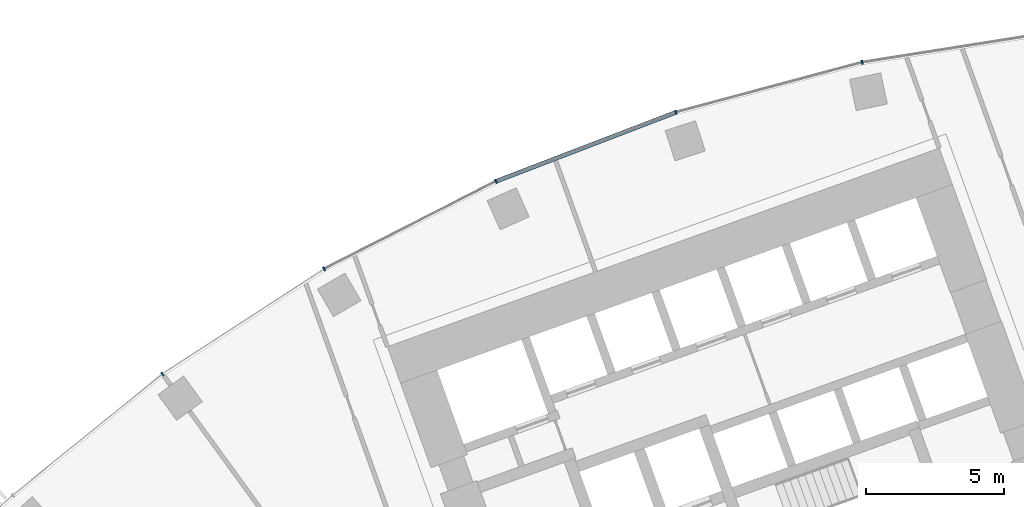
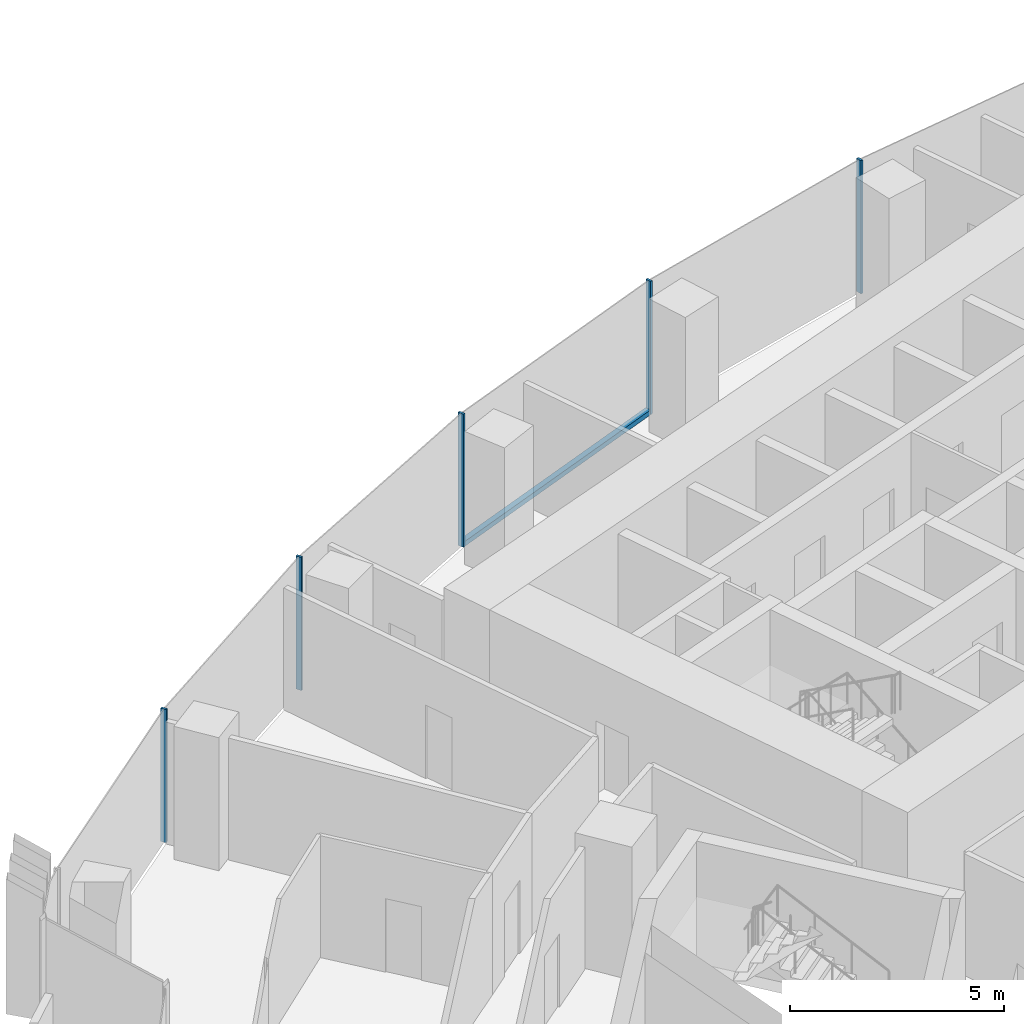
# One storey, part 5 of 20: 6 members, 1 element without a shape of its own.
"""IFC4 building model written with IfcOpenShell, lengths in metres."""

import ifcopenshell
import ifcopenshell.guid

model = None  # the IFC model being written
_history = None  # IfcOwnerHistory: only IFC2X3 demands one
_inside = {}  # id of a spatial element -> (the spatial element, [elements in it])
_under = {}  # id of a project, library or spatial element -> (it, [spatial elements below it])
_declared = {}  # id of a project -> (the project, [libraries it declares])
_typed = {}  # id of a type object -> (the type object, [elements of that type])
_made_of = {}  # id of a material, layer set ... -> (it, [elements and type objects made of it])


def new_model(schema):
    """Start an empty IFC model of exactly this schema.

    Asked for "IFC4X3", IfcOpenShell would pick the latest addendum, in which some entities
    have other attributes; the version numbers below select the first issue.
    IFC2X3 requires an IfcOwnerHistory on every rooted entity: one is made here for all.
    """
    global model, _history
    if schema == "IFC4X3":
        model = ifcopenshell.file(schema_version=(4, 3, 0, 0))
    else:
        model = ifcopenshell.file(schema=schema)
    _inside.clear()
    _under.clear()
    _declared.clear()
    _typed.clear()
    _made_of.clear()
    _history = None
    if model.schema == "IFC2X3":
        org = make("IfcOrganization", Name="unknown")
        user = make(
            "IfcPersonAndOrganization",
            ThePerson=make("IfcPerson", FamilyName="unknown"),
            TheOrganization=org,
        )
        app = make(
            "IfcApplication",
            ApplicationDeveloper=org,
            Version="unknown",
            ApplicationFullName="unknown",
            ApplicationIdentifier="unknown",
        )
        _history = make(
            "IfcOwnerHistory",
            OwningUser=user,
            OwningApplication=app,
            ChangeAction="ADDED",
            CreationDate=0,
        )
    return model


def make(cls, **values):
    """One entity of the class cls with the attributes given. An attribute that is None is left unset."""
    return model.create_entity(
        cls, **{name: value for name, value in values.items() if value is not None}
    )


def rooted(cls, **values):
    """An entity with a GlobalId (a new one), such as an element, a storey or a relation."""
    return make(cls, GlobalId=ifcopenshell.guid.new(), OwnerHistory=_history, **values)


def si_unit(unit_type, name, prefix=None):
    """IfcSIUnit, for example si_unit("LENGTHUNIT", "METRE", prefix="MILLI")."""
    return make("IfcSIUnit", UnitType=unit_type, Prefix=prefix, Name=name)


def assignment(units):
    """IfcUnitAssignment: the units of a project."""
    return None if units is None else make("IfcUnitAssignment", Units=units)


def point(xyz):
    """IfcCartesianPoint."""
    return None if xyz is None else make("IfcCartesianPoint", Coordinates=xyz)


def direction(xyz):
    """IfcDirection."""
    return None if xyz is None else make("IfcDirection", DirectionRatios=xyz)


def frame(location, z_axis=None, x_axis=None):
    """IfcAxis2Placement3D, a coordinate frame: its origin and axes. An axis left out is left unset."""
    return make(
        "IfcAxis2Placement3D",
        Location=point(location),
        Axis=direction(z_axis),
        RefDirection=direction(x_axis),
    )


def frame_2d(location, x_axis=None):
    """IfcAxis2Placement2D, a coordinate frame in the plane: its origin and x axis."""
    return make(
        "IfcAxis2Placement2D", Location=point(location), RefDirection=direction(x_axis)
    )


def origin():
    """The frame at (0, 0, 0) with its axes left unset."""
    return frame((0.0, 0.0, 0.0))


def origin_2d():
    """The frame at (0, 0) in the plane with its x axis left unset."""
    return frame_2d((0.0, 0.0))


def place(relative_to, where):
    """IfcLocalPlacement: puts the frame where relative to a parent placement (None: the world)."""
    return make(
        "IfcLocalPlacement", PlacementRelTo=relative_to, RelativePlacement=where
    )


def context(
    kind, dimensions, precision=None, world=None, true_north=None, identifier=None
):
    """IfcGeometricRepresentationContext, for example the 3D "Model" context."""
    return make(
        "IfcGeometricRepresentationContext",
        ContextIdentifier=identifier,
        ContextType=kind,
        CoordinateSpaceDimension=dimensions,
        Precision=precision,
        WorldCoordinateSystem=world,
        TrueNorth=true_north,
    )


def subcontext(parent, identifier, kind, view, scale=None):
    """IfcGeometricRepresentationSubContext, for example "Body" below "Model"."""
    return make(
        "IfcGeometricRepresentationSubContext",
        ContextIdentifier=identifier,
        ContextType=kind,
        ParentContext=parent,
        TargetScale=scale,
        TargetView=view,
    )


def project(units=None, contexts=None):
    """IfcProject with its units and contexts."""
    return rooted(
        "IfcProject",
        Name="project",
        RepresentationContexts=contexts,
        UnitsInContext=assignment(units),
    )


def spatial(cls, under=None, at=None, **own):
    """A site, building, storey or space (cls), placed at a placement, below another one or the project."""
    s = rooted(cls, ObjectPlacement=at, **own)
    if under is not None:
        _under.setdefault(under.id(), (under, []))[1].append(s)
    return s


def profile(cls, at=None, kind="AREA", **sizes):
    """A parametric profile (cls). Its sizes go by their IFC names, for example OverallWidth=200.0."""
    return make(cls, ProfileType=kind, Position=at, **sizes)


def rectangle(**sizes):
    """IfcRectangleProfileDef."""
    return profile("IfcRectangleProfileDef", **sizes)


def extrude(swept, where, along, depth):
    """IfcExtrudedAreaSolid: the profile swept, set in the frame where, extruded along a direction by depth."""
    return make(
        "IfcExtrudedAreaSolid",
        SweptArea=swept,
        Position=where,
        ExtrudedDirection=direction(along),
        Depth=depth,
    )


def shape(context_of_items, identifier, shape_type, items):
    """IfcShapeRepresentation: the items that make up one representation, for example the "Body"."""
    return make(
        "IfcShapeRepresentation",
        ContextOfItems=context_of_items,
        RepresentationIdentifier=identifier,
        RepresentationType=shape_type,
        Items=items,
    )


def material(Name=None, Category=None):
    """IfcMaterial."""
    return make("IfcMaterial", Name=Name, Category=Category)


def layer(
    of_material, thickness, ventilated=None, Name=None, Category=None, Priority=None
):
    """IfcMaterialLayer: one layer of a wall or slab, of a material (None: an air gap)."""
    return make(
        "IfcMaterialLayer",
        Material=of_material,
        LayerThickness=thickness,
        IsVentilated=ventilated,
        Name=Name,
        Category=Category,
        Priority=Priority,
    )


def layer_set(layers, Name=None):
    """IfcMaterialLayerSet."""
    return make("IfcMaterialLayerSet", MaterialLayers=layers, LayerSetName=Name)


def material_profile(
    of_material, cross_section, Name=None, Category=None, Priority=None
):
    """IfcMaterialProfile: a cross section and its material."""
    return make(
        "IfcMaterialProfile",
        Name=Name,
        Material=of_material,
        Profile=cross_section,
        Priority=Priority,
        Category=Category,
    )


def profile_set(profiles, Name=None, composite=None):
    """IfcMaterialProfileSet."""
    return make(
        "IfcMaterialProfileSet",
        Name=Name,
        MaterialProfiles=profiles,
        CompositeProfile=composite,
    )


def made_of(thing, what):
    """Note that an element or type object is made of a material, layer set ...; save() writes the relation."""
    if what is not None:
        _made_of.setdefault(what.id(), (what, []))[1].append(thing)
    return thing


def type_object(cls, material=None, **own):
    """A type object (cls), such as IfcWallType, which elements share."""
    return made_of(rooted(cls, **own), material)


def element(
    cls,
    number,
    at=None,
    inside=None,
    cuts=None,
    type_object=None,
    material=None,
    context=None,
    identifier="Body",
    shape_type=None,
    held_by="IfcProductDefinitionShape",
    body=None,
    shapes=None,
    **own,
):
    """One element of the class cls, such as IfcWall. Its Tag is "e" and its number.

    at: its placement. inside: the storey or other place that contains it. cuts: it is an
    opening in that element (IfcRelVoidsElement). A single representation is given by context,
    identifier, shape_type and body (its items); several are given by shapes. held_by: the class
    of the entity that holds the representations. save() writes the other relations.
    """
    e = rooted(cls, Tag="e%d" % number, ObjectPlacement=at, **own)
    if body is not None:
        shapes = [shape(context, identifier, shape_type, body)]
    if shapes is not None:
        e.Representation = make(held_by, Representations=shapes)
    if inside is not None:
        _inside.setdefault(inside.id(), (inside, []))[1].append(e)
    if cuts is not None:
        rooted(
            "IfcRelVoidsElement", RelatingBuildingElement=cuts, RelatedOpeningElement=e
        )
    if type_object is not None:
        _typed.setdefault(type_object.id(), (type_object, []))[1].append(e)
    return made_of(e, material)


def aggregate(whole, parts):
    """IfcRelAggregates: a whole, such as a stair, and the parts it consists of."""
    return rooted("IfcRelAggregates", RelatingObject=whole, RelatedObjects=parts)


def save(model, path):
    """Write the relations noted so far, then the file.

    IfcRelAggregates (storeys below a building ...), IfcRelContainedInSpatialStructure (elements
    in a storey), IfcRelDefinesByType, IfcRelAssociatesMaterial and IfcRelDeclares: one each for
    every whole, place, type object, material and project.
    """
    for whole, parts in _under.values():
        aggregate(whole, parts)
    for where, things in _inside.values():
        rooted(
            "IfcRelContainedInSpatialStructure",
            RelatedElements=things,
            RelatingStructure=where,
        )
    for kind, things in _typed.values():
        rooted("IfcRelDefinesByType", RelatedObjects=things, RelatingType=kind)
    for what, things in _made_of.values():
        rooted("IfcRelAssociatesMaterial", RelatedObjects=things, RelatingMaterial=what)
    for by, libraries in _declared.values():
        rooted("IfcRelDeclares", RelatingContext=by, RelatedDefinitions=libraries)
    model.write(path)


model = new_model("IFC4")

# Units and contexts
model_context = context("Model", 3, precision=1e-05, world=origin(), true_north=direction((0.0, 1.0)))
body_context = subcontext(model_context, "Body", "Model", "MODEL_VIEW")
ifc_project = project(units=[si_unit("LENGTHUNIT", "METRE"), si_unit("AREAUNIT", "SQUARE_METRE"), si_unit("VOLUMEUNIT", "CUBIC_METRE"), si_unit("PLANEANGLEUNIT", "RADIAN"), si_unit("MASSUNIT", "GRAM", prefix="KILO")], contexts=[model_context])

# Site, building, storey
site_placement = place(None, origin())
site = spatial("IfcSite", under=ifc_project, at=site_placement, CompositionType="ELEMENT")
building_placement = place(site_placement, origin())
building = spatial("IfcBuilding", under=site, at=building_placement, Name="Stone Belt Terrace Tower", CompositionType="ELEMENT")
storey_placement = place(building_placement, frame((0.0, 0.0, 102.199951171875)))
storey = spatial("IfcBuildingStorey", under=building, at=storey_placement, Name="L24", CompositionType="ELEMENT", Elevation=102.199951171875)

# Curtain wall, members
ifc_material = material(Name="Aluminium 6063-T6 anodised frame", Category="aluminium")
ifc_layer = layer(ifc_material, 0.14990234375)
ifc_layer_set = layer_set([ifc_layer], Name="CW-A unitised convex-face curtain wall")
curtain_wall_type = type_object("IfcCurtainWallType", Name="CW-A unitised convex-face curtain wall", PredefinedType="NOTDEFINED", material=ifc_layer_set)
curtain_wall_placement = place(storey_placement, origin())
curtain_wall = element("IfcCurtainWall", 1, at=curtain_wall_placement, inside=storey, type_object=curtain_wall_type, Name="CW-A convex face L24", PredefinedType="NOTDEFINED")
ifc_material_profile_1 = material_profile(ifc_material, rectangle(XDim=0.14990234375, YDim=0.06005859375, at=origin_2d()), Name="Aluminium 6063-T6 60x150")
ifc_profile_set_1 = profile_set([ifc_material_profile_1], Name="Aluminium 6063-T6 anodised frame")
member_type_1 = type_object("IfcMemberType", Name="CW-A mullion 60 x 150", PredefinedType="MULLION", material=ifc_profile_set_1)
member_1_placement = place(storey_placement, frame((-13.841796875, 65.120361328125, 0.0), z_axis=(0.0, 0.0, 1.0), x_axis=(0.207911690818, -0.978147600734, 0.0)))
member_1 = element("IfcMember", 2, at=member_1_placement, type_object=member_type_1, Name="CW-A mullion 12", PredefinedType="MULLION", context=body_context, shape_type="SweptSolid", body=[
    extrude(rectangle(XDim=0.14990234375, YDim=0.06005859375, at=origin_2d()), origin(), (0.0, 0.0, 1.0), 3.800048828125),
])
member_2_placement = place(storey_placement, frame((-20.57275390625, 63.316650390625, 0.0), z_axis=(0.0, 0.0, 1.0), x_axis=(0.309016994375, -0.951056516295, 0.0)))
member_2 = element("IfcMember", 3, at=member_2_placement, type_object=member_type_1, Name="CW-A mullion 13", PredefinedType="MULLION", context=body_context, shape_type="SweptSolid", body=[
    extrude(rectangle(XDim=0.14990234375, YDim=0.06005859375, at=origin_2d()), origin(), (0.0, 0.0, 1.0), 3.800048828125),
])
member_3_placement = place(storey_placement, frame((-27.07861328125, 60.8193359375, 0.0), z_axis=(0.0, 0.0, 1.0), x_axis=(0.406736643076, -0.913545457643, 0.0)))
member_3 = element("IfcMember", 4, at=member_3_placement, type_object=member_type_1, Name="CW-A mullion 14", PredefinedType="MULLION", context=body_context, shape_type="SweptSolid", body=[
    extrude(rectangle(XDim=0.14990234375, YDim=0.06005859375, at=origin_2d()), origin(), (0.0, 0.0, 1.0), 3.800048828125),
])
member_4_placement = place(storey_placement, frame((-33.28759765625, 57.65576171875, 0.0), z_axis=(0.0, 0.0, 1.0), x_axis=(0.5, -0.866025403784, 0.0)))
member_4 = element("IfcMember", 5, at=member_4_placement, type_object=member_type_1, Name="CW-A mullion 15", PredefinedType="MULLION", context=body_context, shape_type="SweptSolid", body=[
    extrude(rectangle(XDim=0.14990234375, YDim=0.06005859375, at=origin_2d()), origin(), (0.0, 0.0, 1.0), 3.800048828125),
])
member_5_placement = place(storey_placement, frame((-39.1318359375, 53.8603515625, 0.0), z_axis=(0.0, 0.0, 1.0), x_axis=(0.587785252292, -0.809016994375, 0.0)))
member_5 = element("IfcMember", 6, at=member_5_placement, type_object=member_type_1, Name="CW-A mullion 16", PredefinedType="MULLION", context=body_context, shape_type="SweptSolid", body=[
    extrude(rectangle(XDim=0.14990234375, YDim=0.06005859375, at=origin_2d()), origin(), (0.0, 0.0, 1.0), 3.800048828125),
])
ifc_material_profile_2 = material_profile(ifc_material, rectangle(XDim=0.14990234375, YDim=0.139892578125, at=origin_2d()), Name="Aluminium 6063-T6 150x140")
ifc_profile_set_2 = profile_set([ifc_material_profile_2], Name="Aluminium 6063-T6 anodised frame")
member_type_2 = type_object("IfcMemberType", Name="CW-A transom 140 x 150", PredefinedType="USERDEFINED", material=ifc_profile_set_2)
member_6_placement = place(storey_placement, frame((-20.6044921875, 63.304443359375, 0.070068359375), z_axis=(-0.933585210269, -0.358355487146, 0.0), x_axis=(0.358355487146, -0.933585210269, 0.0)))
member_6 = element("IfcMember", 7, at=member_6_placement, type_object=member_type_2, Name="CW-A transom 13.1", ObjectType="TRANSOM", PredefinedType="USERDEFINED", context=body_context, shape_type="SweptSolid", body=[
    extrude(rectangle(XDim=0.14990234375, YDim=0.139892578125, at=origin_2d()), origin(), (0.0, 0.0, 1.0), 6.900634765625),
])
aggregate(curtain_wall, [member_1, member_2, member_3, member_4, member_5, member_6])

save(model, "model.ifc")
